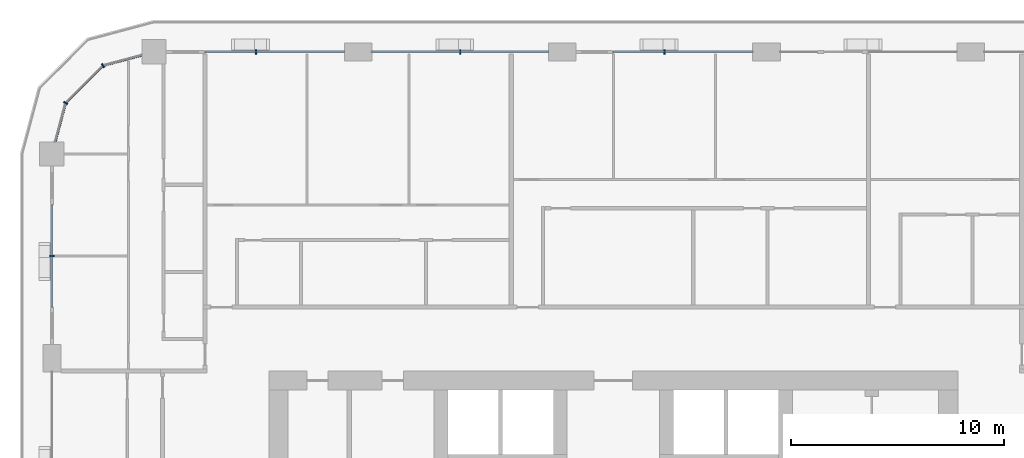
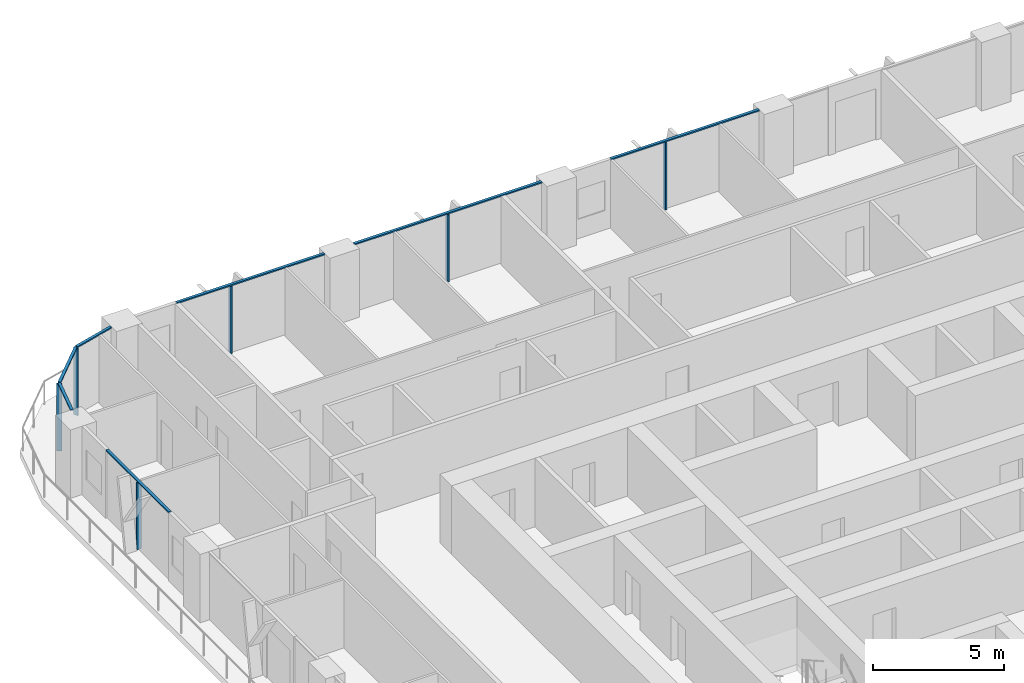
# One storey, part 5 of 21: 13 members, 5 elements without a shape of their own.
"""IFC4 building model written with IfcOpenShell, lengths in metres."""

from ifc_helpers import new_model, si_unit, direction, frame, origin, origin_2d, place, context, subcontext, project, spatial, rectangle, extrude, material, layer, layer_set, material_profile, profile_set, type_object, element, aggregate, save


model = new_model("IFC4")

# Units and contexts
model_context = context("Model", 3, precision=1e-05, world=origin(), true_north=direction((0.0, 1.0)))
body_context = subcontext(model_context, "Body", "Model", "MODEL_VIEW")
ifc_project = project(units=[si_unit("LENGTHUNIT", "METRE"), si_unit("AREAUNIT", "SQUARE_METRE"), si_unit("VOLUMEUNIT", "CUBIC_METRE"), si_unit("PLANEANGLEUNIT", "RADIAN"), si_unit("MASSUNIT", "GRAM", prefix="KILO")], contexts=[model_context])

# Site, building, storey
site_placement = place(None, origin())
site = spatial("IfcSite", under=ifc_project, at=site_placement, CompositionType="ELEMENT")
building_placement = place(site_placement, origin())
building = spatial("IfcBuilding", under=site, at=building_placement, Name="Madar Terraces", CompositionType="ELEMENT")
storey_placement = place(building_placement, frame((0.0, 0.0, 96.199951171875)))
storey = spatial("IfcBuildingStorey", under=building, at=storey_placement, Name="L24", CompositionType="ELEMENT", Elevation=96.199951171875)

# Curtain wall, member
ifc_material_1 = material(Name="Glass, ceramic frit dark grey, with black aluminium frame", Category="aluminium")
ifc_layer = layer(ifc_material_1, 0.199951171875)
ifc_layer_set = layer_set([ifc_layer], Name="Facade curtain wall, fritted glass")
curtain_wall_type = type_object("IfcCurtainWallType", Name="Facade curtain wall, fritted glass", PredefinedType="NOTDEFINED", material=ifc_layer_set)
curtain_wall_1_placement = place(storey_placement, origin())
curtain_wall_1 = element("IfcCurtainWall", 1, at=curtain_wall_1_placement, inside=storey, type_object=curtain_wall_type, Name="Outer skin curtain wall north bay 3", PredefinedType="NOTDEFINED")
ifc_material_2 = material(Name="Aluminium, black anodised", Category="aluminium")
ifc_material_profile_1 = material_profile(ifc_material_2, rectangle(XDim=0.199951171875, YDim=0.06005859375, at=origin_2d()), Name="Facade mullion 60x200")
ifc_profile_set_1 = profile_set([ifc_material_profile_1], Name="Aluminium, black anodised")
member_type_1 = type_object("IfcMemberType", Name="Facade mullion 60x200", PredefinedType="MULLION", material=ifc_profile_set_1)
member_1_placement = place(storey_placement, frame((33.60009765625, 52.800048828125, 0.0), z_axis=(0.0, 0.0, 1.0), x_axis=(0.0, -1.0, 0.0)))
member_1 = element("IfcMember", 2, at=member_1_placement, type_object=member_type_1, Name="Mullion 1", PredefinedType="MULLION", context=body_context, shape_type="SweptSolid", body=[
    extrude(rectangle(XDim=0.199951171875, YDim=0.06005859375, at=origin_2d()), origin(), (0.0, 0.0, 1.0), 3.14013671875),
])

curtain_wall_2_placement = place(storey_placement, origin())
curtain_wall_2 = element("IfcCurtainWall", 3, at=curtain_wall_2_placement, inside=storey, type_object=curtain_wall_type, Name="Outer skin curtain wall north bay 4", PredefinedType="NOTDEFINED")
member_2_placement = place(storey_placement, frame((24.0, 52.800048828125, 0.0), z_axis=(0.0, 0.0, 1.0), x_axis=(0.0, -1.0, 0.0)))
member_2 = element("IfcMember", 4, at=member_2_placement, type_object=member_type_1, Name="Mullion 1", PredefinedType="MULLION", context=body_context, shape_type="SweptSolid", body=[
    extrude(rectangle(XDim=0.199951171875, YDim=0.06005859375, at=origin_2d()), origin(), (0.0, 0.0, 1.0), 3.14013671875),
])

curtain_wall_3_placement = place(storey_placement, origin())
curtain_wall_3 = element("IfcCurtainWall", 5, at=curtain_wall_3_placement, inside=storey, type_object=curtain_wall_type, Name="Outer skin curtain wall north bay 5", PredefinedType="NOTDEFINED")
member_3_placement = place(storey_placement, frame((14.39990234375, 52.800048828125, 0.0), z_axis=(0.0, 0.0, 1.0), x_axis=(0.0, -1.0, 0.0)))
member_3 = element("IfcMember", 6, at=member_3_placement, type_object=member_type_1, Name="Mullion 1", PredefinedType="MULLION", context=body_context, shape_type="SweptSolid", body=[
    extrude(rectangle(XDim=0.199951171875, YDim=0.06005859375, at=origin_2d()), origin(), (0.0, 0.0, 1.0), 3.14013671875),
])

curtain_wall_4_placement = place(storey_placement, origin())
curtain_wall_4 = element("IfcCurtainWall", 7, at=curtain_wall_4_placement, inside=storey, type_object=curtain_wall_type, Name="Outer skin curtain wall west bay 1", PredefinedType="NOTDEFINED")
member_4_placement = place(storey_placement, frame((4.800048828125, 43.199951171875, 0.0), z_axis=(0.0, 0.0, 1.0), x_axis=(1.0, 0.0, 0.0)))
member_4 = element("IfcMember", 8, at=member_4_placement, type_object=member_type_1, Name="Mullion 1", PredefinedType="MULLION", context=body_context, shape_type="SweptSolid", body=[
    extrude(rectangle(XDim=0.199951171875, YDim=0.06005859375, at=origin_2d()), origin(), (0.0, 0.0, 1.0), 3.14013671875),
])

# Curtain wall, members
curtain_wall_5_placement = place(storey_placement, origin())
curtain_wall_5 = element("IfcCurtainWall", 9, at=curtain_wall_5_placement, inside=storey, type_object=curtain_wall_type, Name="Outer skin curtain wall north-west corner", PredefinedType="NOTDEFINED")
member_5_placement = place(storey_placement, frame((7.199951171875, 52.156982421875, 0.0), z_axis=(0.0, 0.0, 1.0), x_axis=(0.499999989586, -0.866025409797, 0.0)))
member_5 = element("IfcMember", 10, at=member_5_placement, type_object=member_type_1, Name="Mullion 1", PredefinedType="MULLION", context=body_context, shape_type="SweptSolid", body=[
    extrude(rectangle(XDim=0.199951171875, YDim=0.06005859375, at=origin_2d()), origin(), (0.0, 0.0, 1.0), 3.14013671875),
])
member_6_placement = place(storey_placement, frame((5.443115234375, 50.39990234375, 0.0), z_axis=(0.0, 0.0, 1.0), x_axis=(0.866025409797, -0.499999989586, 0.0)))
member_6 = element("IfcMember", 11, at=member_6_placement, type_object=member_type_1, Name="Mullion 2", PredefinedType="MULLION", context=body_context, shape_type="SweptSolid", body=[
    extrude(rectangle(XDim=0.199951171875, YDim=0.06005859375, at=origin_2d()), origin(), (0.0, 0.0, 1.0), 3.14013671875),
])

# Member
ifc_material_3 = material(Name="Aluminium, black anodised", Category="aluminium")
ifc_material_profile_2 = material_profile(ifc_material_3, rectangle(XDim=0.1201171875, YDim=0.06005859375, at=origin_2d()), Name="Facade transom 60x120")
ifc_profile_set_2 = profile_set([ifc_material_profile_2], Name="Aluminium, black anodised")
member_type_2 = type_object("IfcMemberType", Name="Facade transom 60x120", PredefinedType="USERDEFINED", material=ifc_profile_set_2)
member_7_placement = place(storey_placement, frame((37.75, 52.800048828125, 3.170166015625), z_axis=(-1.0, 0.0, 0.0), x_axis=(0.0, -1.0, 0.0)))
member_7 = element("IfcMember", 12, at=member_7_placement, type_object=member_type_2, Name="Transom 1", ObjectType="TRANSOM", PredefinedType="USERDEFINED", context=body_context, shape_type="SweptSolid", body=[
    extrude(rectangle(XDim=0.1201171875, YDim=0.06005859375, at=origin_2d()), origin(), (0.0, 0.0, 1.0), 6.550048828125),
])

aggregate(curtain_wall_1, [member_1, member_7])

member_8_placement = place(storey_placement, frame((28.14990234375, 52.800048828125, 3.170166015625), z_axis=(-1.0, 0.0, 0.0), x_axis=(0.0, -1.0, 0.0)))
member_8 = element("IfcMember", 13, at=member_8_placement, type_object=member_type_2, Name="Transom 1", ObjectType="TRANSOM", PredefinedType="USERDEFINED", context=body_context, shape_type="SweptSolid", body=[
    extrude(rectangle(XDim=0.1201171875, YDim=0.06005859375, at=origin_2d()), origin(), (0.0, 0.0, 1.0), 8.2998046875),
])

aggregate(curtain_wall_2, [member_2, member_8])

member_9_placement = place(storey_placement, frame((18.550048828125, 52.800048828125, 3.170166015625), z_axis=(-1.0, 0.0, 0.0), x_axis=(0.0, -1.0, 0.0)))
member_9 = element("IfcMember", 14, at=member_9_placement, type_object=member_type_2, Name="Transom 1", ObjectType="TRANSOM", PredefinedType="USERDEFINED", context=body_context, shape_type="SweptSolid", body=[
    extrude(rectangle(XDim=0.1201171875, YDim=0.06005859375, at=origin_2d()), origin(), (0.0, 0.0, 1.0), 6.550048828125),
])

aggregate(curtain_wall_3, [member_3, member_9])

member_10_placement = place(storey_placement, frame((4.800048828125, 45.60009765625, 3.170166015625), z_axis=(0.0, -1.0, 0.0), x_axis=(1.0, 0.0, 0.0)))
member_10 = element("IfcMember", 15, at=member_10_placement, type_object=member_type_2, Name="Transom 1", ObjectType="TRANSOM", PredefinedType="USERDEFINED", context=body_context, shape_type="SweptSolid", body=[
    extrude(rectangle(XDim=0.1201171875, YDim=0.06005859375, at=origin_2d()), origin(), (0.0, 0.0, 1.0), 4.800048828125),
])

aggregate(curtain_wall_4, [member_4, member_10])

member_11_placement = place(storey_placement, frame((9.02490234375, 52.64599609375, 3.170166015625), z_axis=(-0.965926950947, -0.258814847786, 0.0), x_axis=(0.258814847786, -0.965926950947, 0.0)))
member_11 = element("IfcMember", 16, at=member_11_placement, type_object=member_type_2, Name="Transom 1", ObjectType="TRANSOM", PredefinedType="USERDEFINED", context=body_context, shape_type="SweptSolid", body=[
    extrude(rectangle(XDim=0.1201171875, YDim=0.06005859375, at=origin_2d()), origin(), (0.0, 0.0, 1.0), 1.859130859375),
])

member_12_placement = place(storey_placement, frame((7.1787109375, 52.1357421875, 3.170166015625), z_axis=(-0.707056433593, -0.707157125196, 0.0), x_axis=(0.707157125196, -0.707056433593, 0.0)))
member_12 = element("IfcMember", 17, at=member_12_placement, type_object=member_type_2, Name="Transom 2", ObjectType="TRANSOM", PredefinedType="USERDEFINED", context=body_context, shape_type="SweptSolid", body=[
    extrude(rectangle(XDim=0.1201171875, YDim=0.06005859375, at=origin_2d()), origin(), (0.0, 0.0, 1.0), 2.424560546875),
])

member_13_placement = place(storey_placement, frame((5.435302734375, 50.37109375, 3.170166015625), z_axis=(-0.258782024434, -0.965935745187, 0.0), x_axis=(0.965935745187, -0.258782024434, 0.0)))
member_13 = element("IfcMember", 18, at=member_13_placement, type_object=member_type_2, Name="Transom 3", ObjectType="TRANSOM", PredefinedType="USERDEFINED", context=body_context, shape_type="SweptSolid", body=[
    extrude(rectangle(XDim=0.1201171875, YDim=0.06005859375, at=origin_2d()), origin(), (0.0, 0.0, 1.0), 1.859375),
])

aggregate(curtain_wall_5, [member_5, member_11, member_6, member_12, member_13])

save(model, "model.ifc")
